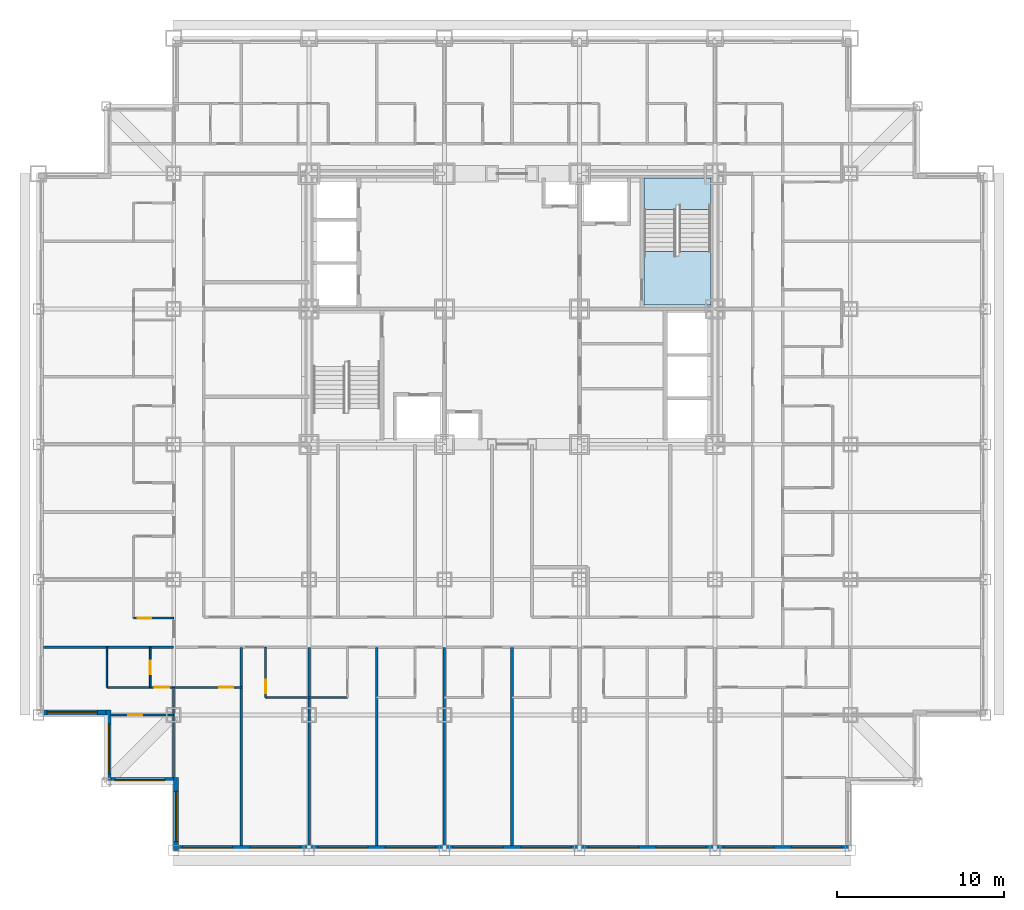
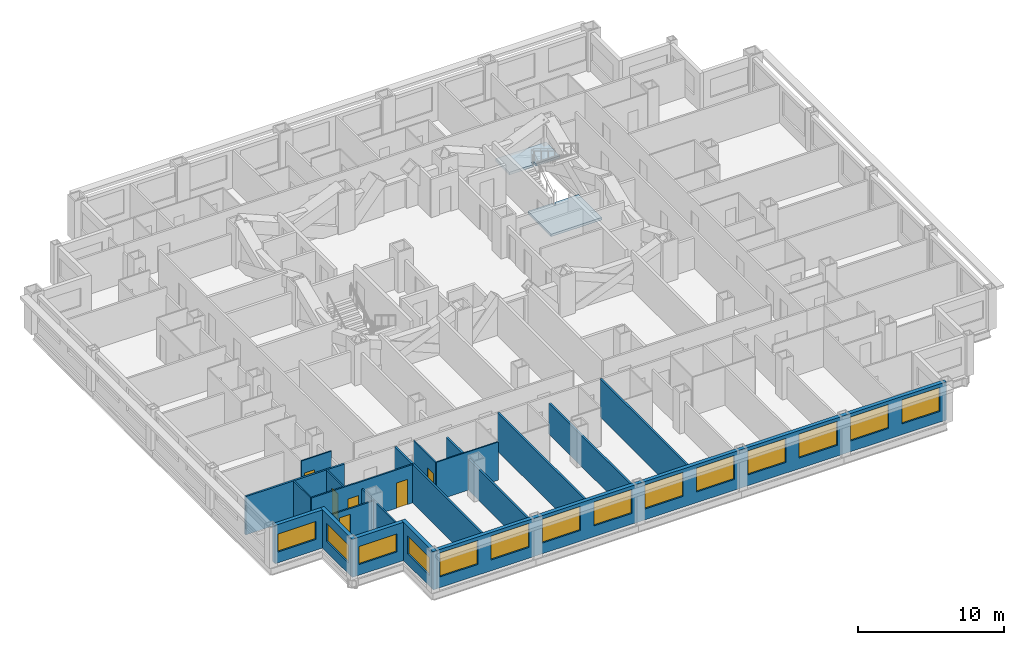
# One storey, part 3 of 12: 19 walls, 14 windows, 6 doors, 2 slabs, 20 openings, 1 element without a shape of its own.
"""IFC4 building model written with IfcOpenShell, lengths in metres."""

from ifc_helpers import new_model, si_unit, direction, frame, frame_2d, origin, place, context, subcontext, project, spatial, polyline, rectangle, outline, extrude, material, layer, layer_set, type_object, element, fill, aggregate, save


model = new_model("IFC4")

# Units and contexts
model_context = context("Model", 3, precision=1e-05, world=origin(), true_north=direction((0.0, 1.0)))
body_context = subcontext(model_context, "Body", "Model", "MODEL_VIEW")
ifc_project = project(units=[si_unit("LENGTHUNIT", "METRE"), si_unit("AREAUNIT", "SQUARE_METRE"), si_unit("VOLUMEUNIT", "CUBIC_METRE"), si_unit("PLANEANGLEUNIT", "RADIAN"), si_unit("MASSUNIT", "GRAM", prefix="KILO")], contexts=[model_context])

# Site, building, storey
site_placement = place(None, origin())
site = spatial("IfcSite", under=ifc_project, at=site_placement, CompositionType="ELEMENT")
building_placement = place(site_placement, origin())
building = spatial("IfcBuilding", under=site, at=building_placement, Name="Kopane Lantern Tower", CompositionType="ELEMENT")
storey_placement = place(building_placement, frame((0.0, 0.0, 70.39990234375)))
storey = spatial("IfcBuildingStorey", under=building, at=storey_placement, Name="L17", CompositionType="ELEMENT", Elevation=70.39990234375)

# Stair, slabs
ifc_material_1 = material(Name="Steel S355JR", Category="steel")
stair_type = type_object("IfcStairType", Name="EXIT STAIR 1900 HALF TURN", PredefinedType="HALF_TURN_STAIR", material=ifc_material_1)
stair_placement = place(storey_placement, origin())
stair = element("IfcStair", 1, at=stair_placement, inside=storey, type_object=stair_type, Name="Exit stair ST2 L17", PredefinedType="HALF_TURN_STAIR")
ifc_material_2 = material(Name="Concrete C40/50", Category="concrete")
ifc_layer_1 = layer(ifc_material_2, 0.199951171875)
ifc_layer_set_1 = layer_set([ifc_layer_1], Name="STAIR LANDING 200")
slab_type = type_object("IfcSlabType", Name="STAIR LANDING 200", PredefinedType="LANDING", material=ifc_layer_set_1)
slab_1_placement = place(storey_placement, frame((0.0, 0.0, -0.199951171875)))
slab_1 = element("IfcSlab", 2, at=slab_1_placement, type_object=slab_type, Name="ST2 landing 1", PredefinedType="LANDING", context=body_context, shape_type="SweptSolid", body=[
    extrude(outline(polyline([(40.25, 35.830078125), (38.35009765625, 35.830078125), (38.35009765625, 35.550048828125), (38.14990234375, 35.550048828125), (38.14990234375, 35.830078125), (36.25, 35.830078125), (36.25, 32.64990234375), (40.25, 32.64990234375), (40.25, 35.830078125)])), origin(), (0.0, 0.0, 1.0), 0.199951171875),
])
slab_2_placement = place(storey_placement, frame((0.0, 0.0, 1.5)))
slab_2 = element("IfcSlab", 3, at=slab_2_placement, type_object=slab_type, Name="ST2 landing 2", PredefinedType="LANDING", context=body_context, shape_type="SweptSolid", body=[
    extrude(outline(polyline([(38.14990234375, 38.6298828125), (38.35009765625, 38.6298828125), (38.35009765625, 38.35009765625), (40.25, 38.35009765625), (40.25, 40.25), (36.25, 40.25), (36.25, 38.35009765625), (38.14990234375, 38.35009765625), (38.14990234375, 38.6298828125)])), origin(), (0.0, 0.0, 1.0), 0.2001953125),
])
aggregate(stair, [slab_1, slab_2])

# Wall, openings, doors
ifc_material_3 = material(Name="Gypsum board on steel studs", Category="steel")
ifc_layer_2 = layer(ifc_material_3, 0.1201171875)
ifc_layer_set_2 = layer_set([ifc_layer_2], Name="APARTMENT INTERNAL WALL 120")
wall_type_1 = type_object("IfcWallType", Name="APARTMENT INTERNAL WALL 120", PredefinedType="PARTITIONING", material=ifc_layer_set_2)
wall_1_placement = place(storey_placement, frame((4.10009765625, 9.75, 0.0), z_axis=(0.0, 0.0, 1.0), x_axis=(1.0, 0.0, 0.0)))
wall_1 = element("IfcWall", 4, at=wall_1_placement, inside=storey, type_object=wall_type_1, Name="Apartment Internal Wall 120 L17", PredefinedType="PARTITIONING", context=body_context, shape_type="SweptSolid", body=[
    extrude(rectangle(XDim=8.0498046875, YDim=0.1201171875, at=frame_2d((4.02490234375, 0.0))), origin(), (0.0, 0.0, 1.0), 3.190185546875),
])
opening_1_placement = place(wall_1_placement, frame((6.72509765625, 0.0, 0.0)))
opening_1 = element("IfcOpeningElement", 5, at=opening_1_placement, cuts=wall_1, Name="Opening L17-068", PredefinedType="OPENING", context=body_context, shape_type="SweptSolid", body=[
    extrude(rectangle(XDim=0.85009765625, YDim=2.10009765625, at=frame_2d((0.425048828125, 1.050048828125))), frame((0.0, 0.070068359375, 0.0), z_axis=(0.0, -1.0, 0.0), x_axis=(1.0, 0.0, 0.0)), (0.0, 0.0, 1.0), 0.14013671875),
])
opening_2_placement = place(wall_1_placement, frame((2.875, 0.0, 0.0)))
opening_2 = element("IfcOpeningElement", 6, at=opening_2_placement, cuts=wall_1, Name="Opening L17-070", PredefinedType="OPENING", context=body_context, shape_type="SweptSolid", body=[
    extrude(rectangle(XDim=0.85009765625, YDim=2.10009765625, at=frame_2d((0.425048828125, 1.050048828125))), frame((0.0, 0.070068359375, 0.0), z_axis=(0.0, -1.0, 0.0), x_axis=(1.0, 0.0, 0.0)), (0.0, 0.0, 1.0), 0.14013671875),
])
ifc_material_4 = material(Name="Timber door set", Category="wood")
door_type_1 = type_object("IfcDoorType", Name="DOOR D4 850x2100", OperationType="SINGLE_SWING_LEFT", PredefinedType="DOOR", material=ifc_material_4)
door_1_placement = place(opening_1_placement, origin())
door_1 = element("IfcDoor", 7, at=door_1_placement, inside=storey, type_object=door_type_1, Name="Door L17-068", OperationType="SINGLE_SWING_RIGHT", OverallHeight=2.10009765625, OverallWidth=0.85009765625, PredefinedType="DOOR", context=body_context, shape_type="SweptSolid", body=[
    extrude(rectangle(XDim=0.85009765625, YDim=2.10009765625, at=frame_2d((0.425048828125, 1.050048828125))), frame((0.0, 0.02490234375, 0.0), z_axis=(0.0, -1.0, 0.0), x_axis=(1.0, 0.0, 0.0)), (0.0, 0.0, 1.0), 0.050048828125),
])
fill(opening_1, door_1)
door_2_placement = place(opening_2_placement, origin())
door_2 = element("IfcDoor", 8, at=door_2_placement, inside=storey, type_object=door_type_1, Name="Door L17-070", OperationType="SINGLE_SWING_LEFT", OverallHeight=2.10009765625, OverallWidth=0.85009765625, PredefinedType="DOOR", context=body_context, shape_type="SweptSolid", body=[
    extrude(rectangle(XDim=0.85009765625, YDim=2.10009765625, at=frame_2d((0.425048828125, 1.050048828125))), frame((0.0, 0.02490234375, 0.0), z_axis=(0.0, -1.0, 0.0), x_axis=(1.0, 0.0, 0.0)), (0.0, 0.0, 1.0), 0.050048828125),
])
fill(opening_2, door_2)

# Wall
wall_2_placement = place(storey_placement, frame((8.10009765625, 9.75, 0.0), z_axis=(0.0, 0.0, 1.0), x_axis=(0.0, -1.0, 0.0)))
element("IfcWall", 9, at=wall_2_placement, inside=storey, type_object=wall_type_1, Name="Apartment Internal Wall 120 L17", PredefinedType="PARTITIONING", context=body_context, shape_type="SweptSolid", body=[
    extrude(rectangle(XDim=5.39990234375, YDim=0.1201171875, at=frame_2d((2.699951171875, 0.0))), origin(), (0.0, 0.0, 1.0), 2.577880859375),
])

# Wall, opening, door
wall_3_placement = place(storey_placement, frame((8.10009765625, 8.10009765625, 0.0), z_axis=(0.0, 0.0, 1.0), x_axis=(-1.0, 0.0, 0.0)))
wall_3 = element("IfcWall", 10, at=wall_3_placement, inside=storey, type_object=wall_type_1, Name="Apartment Internal Wall 120 L17", PredefinedType="PARTITIONING", context=body_context, shape_type="SweptSolid", body=[
    extrude(rectangle(XDim=3.75, YDim=0.1201171875, at=frame_2d((1.875, 0.0))), origin(), (0.0, 0.0, 1.0), 2.577880859375),
])
opening_3_placement = place(wall_3_placement, frame((1.875, 0.0, 0.0)))
opening_3 = element("IfcOpeningElement", 11, at=opening_3_placement, cuts=wall_3, Name="Opening L17-071", PredefinedType="OPENING", context=body_context, shape_type="SweptSolid", body=[
    extrude(rectangle(XDim=0.85009765625, YDim=2.10009765625, at=frame_2d((0.425048828125, 1.050048828125))), frame((0.0, 0.070068359375, 0.0), z_axis=(0.0, -1.0, 0.0), x_axis=(1.0, 0.0, 0.0)), (0.0, 0.0, 1.0), 0.14013671875),
])
door_3_placement = place(opening_3_placement, origin())
door_3 = element("IfcDoor", 12, at=door_3_placement, inside=storey, type_object=door_type_1, Name="Door L17-071", OperationType="SINGLE_SWING_LEFT", OverallHeight=2.10009765625, OverallWidth=0.85009765625, PredefinedType="DOOR", context=body_context, shape_type="SweptSolid", body=[
    extrude(rectangle(XDim=0.85009765625, YDim=2.10009765625, at=frame_2d((0.425048828125, 1.050048828125))), frame((0.0, 0.02490234375, 0.0), z_axis=(0.0, -1.0, 0.0), x_axis=(1.0, 0.0, 0.0)), (0.0, 0.0, 1.0), 0.050048828125),
])
fill(opening_3, door_3)

# Wall
ifc_material_5 = material(Name="Moisture-resistant board on steel studs", Category="steel")
ifc_layer_3 = layer(ifc_material_5, 0.10009765625)
ifc_layer_set_3 = layer_set([ifc_layer_3], Name="BATHROOM WALL 100")
wall_type_2 = type_object("IfcWallType", Name="BATHROOM WALL 100", PredefinedType="PARTITIONING", material=ifc_layer_set_3)
wall_4_placement = place(storey_placement, frame((13.60009765625, 9.14990234375, 0.0), z_axis=(0.0, 0.0, 1.0), x_axis=(1.0, 0.0, 0.0)))
element("IfcWall", 13, at=wall_4_placement, inside=storey, type_object=wall_type_2, Name="Bathroom Wall 100 L17", PredefinedType="PARTITIONING", context=body_context, shape_type="SweptSolid", body=[
    extrude(rectangle(XDim=4.89990234375, YDim=0.10009765625, at=frame_2d((2.449951171875, 0.0))), origin(), (0.0, 0.0, 1.0), 3.190185546875),
])

# Wall, opening, door
wall_5_placement = place(storey_placement, frame((13.60009765625, 12.14990234375, 0.0), z_axis=(0.0, 0.0, 1.0), x_axis=(0.0, -1.0, 0.0)))
wall_5 = element("IfcWall", 14, at=wall_5_placement, inside=storey, type_object=wall_type_2, Name="Bathroom Wall 100 L17", PredefinedType="PARTITIONING", context=body_context, shape_type="SweptSolid", body=[
    extrude(rectangle(XDim=3.0, YDim=0.10009765625, at=frame_2d((1.5, 0.0))), origin(), (0.0, 0.0, 1.0), 3.190185546875),
])
opening_4_placement = place(wall_5_placement, frame((1.949951171875, 0.0, 0.0)))
opening_4 = element("IfcOpeningElement", 15, at=opening_4_placement, cuts=wall_5, Name="Opening L17-015", PredefinedType="OPENING", context=body_context, shape_type="SweptSolid", body=[
    extrude(rectangle(XDim=0.800048828125, YDim=2.10009765625, at=frame_2d((0.39990234375, 1.050048828125))), frame((0.0, 0.06005859375, 0.0), z_axis=(0.0, -1.0, 0.0), x_axis=(1.0, 0.0, 0.0)), (0.0, 0.0, 1.0), 0.1201171875),
])
ifc_material_6 = material(Name="Timber door set", Category="wood")
door_type_2 = type_object("IfcDoorType", Name="DOOR D2 800x2100", OperationType="SINGLE_SWING_LEFT", PredefinedType="DOOR", material=ifc_material_6)
door_4_placement = place(opening_4_placement, origin())
door_4 = element("IfcDoor", 16, at=door_4_placement, inside=storey, type_object=door_type_2, Name="Door L17-015", OperationType="SINGLE_SWING_RIGHT", OverallHeight=2.10009765625, OverallWidth=0.800048828125, PredefinedType="DOOR", context=body_context, shape_type="SweptSolid", body=[
    extrude(rectangle(XDim=0.800048828125, YDim=2.10009765625, at=frame_2d((0.39990234375, 1.050048828125))), frame((0.0, 0.02490234375, 0.0), z_axis=(0.0, -1.0, 0.0), x_axis=(1.0, 0.0, 0.0)), (0.0, 0.0, 1.0), 0.050048828125),
])
fill(opening_4, door_4)

wall_6_placement = place(storey_placement, frame((8.10009765625, 13.89990234375, 0.0), z_axis=(0.0, 0.0, 1.0), x_axis=(-1.0, 0.0, 0.0)))
wall_6 = element("IfcWall", 17, at=wall_6_placement, inside=storey, type_object=wall_type_2, Name="Bathroom Wall 100 L17", PredefinedType="PARTITIONING", context=body_context, shape_type="SweptSolid", body=[
    extrude(rectangle(XDim=2.400146484375, YDim=0.10009765625, at=frame_2d((1.2001953125, 0.0))), origin(), (0.0, 0.0, 1.0), 3.190185546875),
])
opening_5_placement = place(wall_6_placement, frame((1.35009765625, 0.0, 0.0)))
opening_5 = element("IfcOpeningElement", 18, at=opening_5_placement, cuts=wall_6, Name="Opening L17-041", PredefinedType="OPENING", context=body_context, shape_type="SweptSolid", body=[
    extrude(rectangle(XDim=0.800048828125, YDim=2.10009765625, at=frame_2d((0.39990234375, 1.050048828125))), frame((0.0, 0.06005859375, 0.0), z_axis=(0.0, -1.0, 0.0), x_axis=(1.0, 0.0, 0.0)), (0.0, 0.0, 1.0), 0.1201171875),
])
door_5_placement = place(opening_5_placement, origin())
door_5 = element("IfcDoor", 19, at=door_5_placement, inside=storey, type_object=door_type_2, Name="Door L17-041", OperationType="SINGLE_SWING_LEFT", OverallHeight=2.10009765625, OverallWidth=0.800048828125, PredefinedType="DOOR", context=body_context, shape_type="SweptSolid", body=[
    extrude(rectangle(XDim=0.800048828125, YDim=2.10009765625, at=frame_2d((0.39990234375, 1.050048828125))), frame((0.0, 0.02490234375, 0.0), z_axis=(0.0, -1.0, 0.0), x_axis=(1.0, 0.0, 0.0)), (0.0, 0.0, 1.0), 0.050048828125),
])
fill(opening_5, door_5)

wall_7_placement = place(storey_placement, frame((6.699951171875, 12.14990234375, 0.0), z_axis=(0.0, 0.0, 1.0), x_axis=(0.0, -1.0, 0.0)))
wall_7 = element("IfcWall", 20, at=wall_7_placement, inside=storey, type_object=wall_type_2, Name="Bathroom Wall 100 L17", PredefinedType="PARTITIONING", context=body_context, shape_type="SweptSolid", body=[
    extrude(rectangle(XDim=2.39990234375, YDim=0.10009765625, at=frame_2d((1.199951171875, 0.0))), origin(), (0.0, 0.0, 1.0), 3.190185546875),
])
opening_6_placement = place(wall_7_placement, frame((0.800048828125, 0.0, 0.0)))
opening_6 = element("IfcOpeningElement", 21, at=opening_6_placement, cuts=wall_7, Name="Opening L17-069", PredefinedType="OPENING", context=body_context, shape_type="SweptSolid", body=[
    extrude(rectangle(XDim=0.800048828125, YDim=2.10009765625, at=frame_2d((0.39990234375, 1.050048828125))), frame((0.0, 0.06005859375, 0.0), z_axis=(0.0, -1.0, 0.0), x_axis=(1.0, 0.0, 0.0)), (0.0, 0.0, 1.0), 0.1201171875),
])
door_6_placement = place(opening_6_placement, origin())
door_6 = element("IfcDoor", 22, at=door_6_placement, inside=storey, type_object=door_type_2, Name="Door L17-069", OperationType="SINGLE_SWING_RIGHT", OverallHeight=2.10009765625, OverallWidth=0.800048828125, PredefinedType="DOOR", context=body_context, shape_type="SweptSolid", body=[
    extrude(rectangle(XDim=0.800048828125, YDim=2.10009765625, at=frame_2d((0.39990234375, 1.050048828125))), frame((0.0, 0.02490234375, 0.0), z_axis=(0.0, -1.0, 0.0), x_axis=(1.0, 0.0, 0.0)), (0.0, 0.0, 1.0), 0.050048828125),
])
fill(opening_6, door_6)

# Walls
wall_8_placement = place(storey_placement, frame((4.10009765625, 12.14990234375, 0.0), z_axis=(0.0, 0.0, 1.0), x_axis=(0.0, -1.0, 0.0)))
element("IfcWall", 23, at=wall_8_placement, inside=storey, type_object=wall_type_2, Name="Bathroom Wall 100 L17", PredefinedType="PARTITIONING", context=body_context, shape_type="SweptSolid", body=[
    extrude(rectangle(XDim=2.39990234375, YDim=0.10009765625, at=frame_2d((1.199951171875, 0.0))), origin(), (0.0, 0.0, 1.0), 3.190185546875),
])
ifc_material_7 = material(Name="Gypsum board on steel studs", Category="steel")
ifc_layer_4 = layer(ifc_material_7, 0.14990234375)
ifc_layer_set_4 = layer_set([ifc_layer_4], Name="DEMISING WALL 150 EI 60")
wall_type_3 = type_object("IfcWallType", Name="DEMISING WALL 150 EI 60", PredefinedType="PARTITIONING", material=ifc_layer_set_4)
wall_9_placement = place(storey_placement, frame((16.199951171875, 12.14990234375, 0.0), z_axis=(0.0, 0.0, 1.0), x_axis=(0.0, -1.0, 0.0)))
element("IfcWall", 24, at=wall_9_placement, inside=storey, type_object=wall_type_3, Name="Demising Wall 150 Ei 60 L17", PredefinedType="PARTITIONING", context=body_context, shape_type="SweptSolid", body=[
    extrude(rectangle(XDim=11.849853515625, YDim=0.14990234375, at=frame_2d((5.9248046875, 0.0))), origin(), (0.0, 0.0, 1.0), 2.577880859375),
])
wall_10_placement = place(storey_placement, frame((20.25, 12.14990234375, 0.0), z_axis=(0.0, 0.0, 1.0), x_axis=(0.0, -1.0, 0.0)))
element("IfcWall", 25, at=wall_10_placement, inside=storey, type_object=wall_type_3, Name="Demising Wall 150 Ei 60 L17", PredefinedType="PARTITIONING", context=body_context, shape_type="SweptSolid", body=[
    extrude(rectangle(XDim=11.849853515625, YDim=0.14990234375, at=frame_2d((5.9248046875, 0.0))), origin(), (0.0, 0.0, 1.0), 3.190185546875),
])
wall_11_placement = place(storey_placement, frame((24.300048828125, 12.14990234375, 0.0), z_axis=(0.0, 0.0, 1.0), x_axis=(0.0, -1.0, 0.0)))
element("IfcWall", 26, at=wall_11_placement, inside=storey, type_object=wall_type_3, Name="Demising Wall 150 Ei 60 L17", PredefinedType="PARTITIONING", context=body_context, shape_type="SweptSolid", body=[
    extrude(rectangle(XDim=11.849853515625, YDim=0.14990234375, at=frame_2d((5.9248046875, 0.0))), origin(), (0.0, 0.0, 1.0), 2.577880859375),
])
wall_12_placement = place(storey_placement, frame((28.35009765625, 12.14990234375, 0.0), z_axis=(0.0, 0.0, 1.0), x_axis=(0.0, -1.0, 0.0)))
element("IfcWall", 27, at=wall_12_placement, inside=storey, type_object=wall_type_3, Name="Demising Wall 150 Ei 60 L17", PredefinedType="PARTITIONING", context=body_context, shape_type="SweptSolid", body=[
    extrude(rectangle(XDim=11.849853515625, YDim=0.14990234375, at=frame_2d((5.9248046875, 0.0))), origin(), (0.0, 0.0, 1.0), 3.190185546875),
])
wall_13_placement = place(storey_placement, frame((0.300048828125, 12.14990234375, 0.0), z_axis=(0.0, 0.0, 1.0), x_axis=(1.0, 0.0, 0.0)))
element("IfcWall", 28, at=wall_13_placement, inside=storey, type_object=wall_type_3, Name="Demising Wall 150 Ei 60 L17", PredefinedType="PARTITIONING", context=body_context, shape_type="SweptSolid", body=[
    extrude(rectangle(XDim=7.800048828125, YDim=0.14990234375, at=frame_2d((3.89990234375, 0.0))), origin(), (0.0, 0.0, 1.0), 3.190185546875),
])
wall_14_placement = place(storey_placement, frame((12.14990234375, 12.14990234375, 0.0), z_axis=(0.0, 0.0, 1.0), x_axis=(0.0, -1.0, 0.0)))
element("IfcWall", 29, at=wall_14_placement, inside=storey, type_object=wall_type_3, Name="Demising Wall 150 Ei 60 L17", PredefinedType="PARTITIONING", context=body_context, shape_type="SweptSolid", body=[
    extrude(rectangle(XDim=11.849853515625, YDim=0.14990234375, at=frame_2d((5.9248046875, 0.0))), origin(), (0.0, 0.0, 1.0), 3.190185546875),
])

# Wall, openings, windows
ifc_material_8 = material(Name="Terracotta rainscreen on light steel framing", Category="masonry")
ifc_layer_5 = layer(ifc_material_8, 0.300048828125)
ifc_layer_set_5 = layer_set([ifc_layer_5], Name="EXTERNAL WALL EW1 300 TERRACOTTA")
wall_type_4 = type_object("IfcWallType", Name="EXTERNAL WALL EW1 300 TERRACOTTA", PredefinedType="SOLIDWALL", material=ifc_layer_set_5)
wall_15_placement = place(storey_placement, frame((8.39990234375, 0.14990234375, 0.0), z_axis=(0.0, 0.0, 1.0), x_axis=(1.0, 0.0, 0.0)))
wall_15 = element("IfcWall", 30, at=wall_15_placement, inside=storey, type_object=wall_type_4, Name="External wall S L17", PredefinedType="SOLIDWALL", context=body_context, shape_type="SweptSolid", body=[
    extrude(rectangle(XDim=40.2001953125, YDim=0.300048828125, at=frame_2d((20.10009765625, 0.0))), origin(), (0.0, 0.0, 1.0), 3.190185546875),
])
opening_7_placement = place(wall_15_placement, frame((0.22509765625, 0.0, 0.89990234375)))
opening_7 = element("IfcOpeningElement", 31, at=opening_7_placement, cuts=wall_15, Name="Opening WR300200", PredefinedType="OPENING", context=body_context, shape_type="SweptSolid", body=[
    extrude(rectangle(XDim=3.0, YDim=2.0, at=frame_2d((1.5, 1.0))), frame((0.0, 0.159912109375, 0.0), z_axis=(0.0, -1.0, 0.0), x_axis=(1.0, 0.0, 0.0)), (0.0, 0.0, 1.0), 0.320068359375),
])
opening_8_placement = place(wall_15_placement, frame((4.27490234375, 0.0, 0.89990234375)))
opening_8 = element("IfcOpeningElement", 32, at=opening_8_placement, cuts=wall_15, Name="Opening WR300200", PredefinedType="OPENING", context=body_context, shape_type="SweptSolid", body=[
    extrude(rectangle(XDim=3.0, YDim=2.0, at=frame_2d((1.5, 1.0))), frame((0.0, 0.159912109375, 0.0), z_axis=(0.0, -1.0, 0.0), x_axis=(1.0, 0.0, 0.0)), (0.0, 0.0, 1.0), 0.320068359375),
])
opening_9_placement = place(wall_15_placement, frame((8.324951171875, 0.0, 0.89990234375)))
opening_9 = element("IfcOpeningElement", 33, at=opening_9_placement, cuts=wall_15, Name="Opening WR300200", PredefinedType="OPENING", context=body_context, shape_type="SweptSolid", body=[
    extrude(rectangle(XDim=3.0, YDim=2.0, at=frame_2d((1.5, 1.0))), frame((0.0, 0.159912109375, 0.0), z_axis=(0.0, -1.0, 0.0), x_axis=(1.0, 0.0, 0.0)), (0.0, 0.0, 1.0), 0.320068359375),
])
opening_10_placement = place(wall_15_placement, frame((12.375, 0.0, 0.89990234375)))
opening_10 = element("IfcOpeningElement", 34, at=opening_10_placement, cuts=wall_15, Name="Opening WR300200", PredefinedType="OPENING", context=body_context, shape_type="SweptSolid", body=[
    extrude(rectangle(XDim=3.0, YDim=2.0, at=frame_2d((1.5, 1.0))), frame((0.0, 0.159912109375, 0.0), z_axis=(0.0, -1.0, 0.0), x_axis=(1.0, 0.0, 0.0)), (0.0, 0.0, 1.0), 0.320068359375),
])
opening_11_placement = place(wall_15_placement, frame((16.425048828125, 0.0, 0.89990234375)))
opening_11 = element("IfcOpeningElement", 35, at=opening_11_placement, cuts=wall_15, Name="Opening WR300200", PredefinedType="OPENING", context=body_context, shape_type="SweptSolid", body=[
    extrude(rectangle(XDim=3.0, YDim=2.0, at=frame_2d((1.5, 1.0))), frame((0.0, 0.159912109375, 0.0), z_axis=(0.0, -1.0, 0.0), x_axis=(1.0, 0.0, 0.0)), (0.0, 0.0, 1.0), 0.320068359375),
])
opening_12_placement = place(wall_15_placement, frame((20.47509765625, 0.0, 0.89990234375)))
opening_12 = element("IfcOpeningElement", 36, at=opening_12_placement, cuts=wall_15, Name="Opening WR300200", PredefinedType="OPENING", context=body_context, shape_type="SweptSolid", body=[
    extrude(rectangle(XDim=3.0, YDim=2.0, at=frame_2d((1.5, 1.0))), frame((0.0, 0.159912109375, 0.0), z_axis=(0.0, -1.0, 0.0), x_axis=(1.0, 0.0, 0.0)), (0.0, 0.0, 1.0), 0.320068359375),
])
opening_13_placement = place(wall_15_placement, frame((24.52490234375, 0.0, 0.89990234375)))
opening_13 = element("IfcOpeningElement", 37, at=opening_13_placement, cuts=wall_15, Name="Opening WR300200", PredefinedType="OPENING", context=body_context, shape_type="SweptSolid", body=[
    extrude(rectangle(XDim=3.0, YDim=2.0, at=frame_2d((1.5, 1.0))), frame((0.0, 0.159912109375, 0.0), z_axis=(0.0, -1.0, 0.0), x_axis=(1.0, 0.0, 0.0)), (0.0, 0.0, 1.0), 0.320068359375),
])
opening_14_placement = place(wall_15_placement, frame((28.574951171875, 0.0, 0.89990234375)))
opening_14 = element("IfcOpeningElement", 38, at=opening_14_placement, cuts=wall_15, Name="Opening WR300200", PredefinedType="OPENING", context=body_context, shape_type="SweptSolid", body=[
    extrude(rectangle(XDim=3.0, YDim=2.0, at=frame_2d((1.5, 1.0))), frame((0.0, 0.159912109375, 0.0), z_axis=(0.0, -1.0, 0.0), x_axis=(1.0, 0.0, 0.0)), (0.0, 0.0, 1.0), 0.320068359375),
])
opening_15_placement = place(wall_15_placement, frame((32.625, 0.0, 0.89990234375)))
opening_15 = element("IfcOpeningElement", 39, at=opening_15_placement, cuts=wall_15, Name="Opening WR300200", PredefinedType="OPENING", context=body_context, shape_type="SweptSolid", body=[
    extrude(rectangle(XDim=3.0, YDim=2.0, at=frame_2d((1.5, 1.0))), frame((0.0, 0.159912109375, 0.0), z_axis=(0.0, -1.0, 0.0), x_axis=(1.0, 0.0, 0.0)), (0.0, 0.0, 1.0), 0.320068359375),
])
opening_16_placement = place(wall_15_placement, frame((36.675048828125, 0.0, 0.89990234375)))
opening_16 = element("IfcOpeningElement", 40, at=opening_16_placement, cuts=wall_15, Name="Opening WR300200", PredefinedType="OPENING", context=body_context, shape_type="SweptSolid", body=[
    extrude(rectangle(XDim=3.0, YDim=2.0, at=frame_2d((1.5, 1.0))), frame((0.0, 0.159912109375, 0.0), z_axis=(0.0, -1.0, 0.0), x_axis=(1.0, 0.0, 0.0)), (0.0, 0.0, 1.0), 0.320068359375),
])
ifc_material_9 = material(Name="Aluminium and clear glass", Category="aluminium")
window_type_1 = type_object("IfcWindowType", Name="RIBBON WINDOW WR300200 3000x2000", PartitioningType="SINGLE_PANEL", PredefinedType="WINDOW", material=ifc_material_9)
window_1_placement = place(opening_7_placement, origin())
window_1 = element("IfcWindow", 41, at=window_1_placement, inside=storey, type_object=window_type_1, Name="Window S L17", OverallHeight=2.0, OverallWidth=3.0, PartitioningType="SINGLE_PANEL", PredefinedType="WINDOW", context=body_context, shape_type="SweptSolid", body=[
    extrude(rectangle(XDim=3.0, YDim=2.0, at=frame_2d((1.5, 1.0))), frame((0.0, 0.030029296875, 0.0), z_axis=(0.0, -1.0, 0.0), x_axis=(1.0, 0.0, 0.0)), (0.0, 0.0, 1.0), 0.06005859375),
])
fill(opening_7, window_1)
window_2_placement = place(opening_8_placement, origin())
window_2 = element("IfcWindow", 42, at=window_2_placement, inside=storey, type_object=window_type_1, Name="Window S L17", OverallHeight=2.0, OverallWidth=3.0, PartitioningType="SINGLE_PANEL", PredefinedType="WINDOW", context=body_context, shape_type="SweptSolid", body=[
    extrude(rectangle(XDim=3.0, YDim=2.0, at=frame_2d((1.5, 1.0))), frame((0.0, 0.030029296875, 0.0), z_axis=(0.0, -1.0, 0.0), x_axis=(1.0, 0.0, 0.0)), (0.0, 0.0, 1.0), 0.06005859375),
])
fill(opening_8, window_2)
window_3_placement = place(opening_9_placement, origin())
window_3 = element("IfcWindow", 43, at=window_3_placement, inside=storey, type_object=window_type_1, Name="Window S L17", OverallHeight=2.0, OverallWidth=3.0, PartitioningType="SINGLE_PANEL", PredefinedType="WINDOW", context=body_context, shape_type="SweptSolid", body=[
    extrude(rectangle(XDim=3.0, YDim=2.0, at=frame_2d((1.5, 1.0))), frame((0.0, 0.030029296875, 0.0), z_axis=(0.0, -1.0, 0.0), x_axis=(1.0, 0.0, 0.0)), (0.0, 0.0, 1.0), 0.06005859375),
])
fill(opening_9, window_3)
window_4_placement = place(opening_10_placement, origin())
window_4 = element("IfcWindow", 44, at=window_4_placement, inside=storey, type_object=window_type_1, Name="Window S L17", OverallHeight=2.0, OverallWidth=3.0, PartitioningType="SINGLE_PANEL", PredefinedType="WINDOW", context=body_context, shape_type="SweptSolid", body=[
    extrude(rectangle(XDim=3.0, YDim=2.0, at=frame_2d((1.5, 1.0))), frame((0.0, 0.030029296875, 0.0), z_axis=(0.0, -1.0, 0.0), x_axis=(1.0, 0.0, 0.0)), (0.0, 0.0, 1.0), 0.06005859375),
])
fill(opening_10, window_4)
window_5_placement = place(opening_11_placement, origin())
window_5 = element("IfcWindow", 45, at=window_5_placement, inside=storey, type_object=window_type_1, Name="Window S L17", OverallHeight=2.0, OverallWidth=3.0, PartitioningType="SINGLE_PANEL", PredefinedType="WINDOW", context=body_context, shape_type="SweptSolid", body=[
    extrude(rectangle(XDim=3.0, YDim=2.0, at=frame_2d((1.5, 1.0))), frame((0.0, 0.030029296875, 0.0), z_axis=(0.0, -1.0, 0.0), x_axis=(1.0, 0.0, 0.0)), (0.0, 0.0, 1.0), 0.06005859375),
])
fill(opening_11, window_5)
window_6_placement = place(opening_12_placement, origin())
window_6 = element("IfcWindow", 46, at=window_6_placement, inside=storey, type_object=window_type_1, Name="Window S L17", OverallHeight=2.0, OverallWidth=3.0, PartitioningType="SINGLE_PANEL", PredefinedType="WINDOW", context=body_context, shape_type="SweptSolid", body=[
    extrude(rectangle(XDim=3.0, YDim=2.0, at=frame_2d((1.5, 1.0))), frame((0.0, 0.030029296875, 0.0), z_axis=(0.0, -1.0, 0.0), x_axis=(1.0, 0.0, 0.0)), (0.0, 0.0, 1.0), 0.06005859375),
])
fill(opening_12, window_6)
window_7_placement = place(opening_13_placement, origin())
window_7 = element("IfcWindow", 47, at=window_7_placement, inside=storey, type_object=window_type_1, Name="Window S L17", OverallHeight=2.0, OverallWidth=3.0, PartitioningType="SINGLE_PANEL", PredefinedType="WINDOW", context=body_context, shape_type="SweptSolid", body=[
    extrude(rectangle(XDim=3.0, YDim=2.0, at=frame_2d((1.5, 1.0))), frame((0.0, 0.030029296875, 0.0), z_axis=(0.0, -1.0, 0.0), x_axis=(1.0, 0.0, 0.0)), (0.0, 0.0, 1.0), 0.06005859375),
])
fill(opening_13, window_7)
window_8_placement = place(opening_14_placement, origin())
window_8 = element("IfcWindow", 48, at=window_8_placement, inside=storey, type_object=window_type_1, Name="Window S L17", OverallHeight=2.0, OverallWidth=3.0, PartitioningType="SINGLE_PANEL", PredefinedType="WINDOW", context=body_context, shape_type="SweptSolid", body=[
    extrude(rectangle(XDim=3.0, YDim=2.0, at=frame_2d((1.5, 1.0))), frame((0.0, 0.030029296875, 0.0), z_axis=(0.0, -1.0, 0.0), x_axis=(1.0, 0.0, 0.0)), (0.0, 0.0, 1.0), 0.06005859375),
])
fill(opening_14, window_8)
window_9_placement = place(opening_15_placement, origin())
window_9 = element("IfcWindow", 49, at=window_9_placement, inside=storey, type_object=window_type_1, Name="Window S L17", OverallHeight=2.0, OverallWidth=3.0, PartitioningType="SINGLE_PANEL", PredefinedType="WINDOW", context=body_context, shape_type="SweptSolid", body=[
    extrude(rectangle(XDim=3.0, YDim=2.0, at=frame_2d((1.5, 1.0))), frame((0.0, 0.030029296875, 0.0), z_axis=(0.0, -1.0, 0.0), x_axis=(1.0, 0.0, 0.0)), (0.0, 0.0, 1.0), 0.06005859375),
])
fill(opening_15, window_9)
window_10_placement = place(opening_16_placement, origin())
window_10 = element("IfcWindow", 50, at=window_10_placement, inside=storey, type_object=window_type_1, Name="Window S L17", OverallHeight=2.0, OverallWidth=3.0, PartitioningType="SINGLE_PANEL", PredefinedType="WINDOW", context=body_context, shape_type="SweptSolid", body=[
    extrude(rectangle(XDim=3.0, YDim=2.0, at=frame_2d((1.5, 1.0))), frame((0.0, 0.030029296875, 0.0), z_axis=(0.0, -1.0, 0.0), x_axis=(1.0, 0.0, 0.0)), (0.0, 0.0, 1.0), 0.06005859375),
])
fill(opening_16, window_10)

# Wall, opening, window
wall_16_placement = place(storey_placement, frame((0.300048828125, 8.25, 0.0), z_axis=(0.0, 0.0, 1.0), x_axis=(1.0, 0.0, 0.0)))
wall_16 = element("IfcWall", 51, at=wall_16_placement, inside=storey, type_object=wall_type_4, Name="External wall S L17", PredefinedType="SOLIDWALL", context=body_context, shape_type="SweptSolid", body=[
    extrude(rectangle(XDim=3.75, YDim=0.300048828125, at=frame_2d((1.875, 0.0))), origin(), (0.0, 0.0, 1.0), 3.190185546875),
])
opening_17_placement = place(wall_16_placement, frame((0.22509765625, 0.0, 0.89990234375)))
opening_17 = element("IfcOpeningElement", 52, at=opening_17_placement, cuts=wall_16, Name="Opening WR300150", PredefinedType="OPENING", context=body_context, shape_type="SweptSolid", body=[
    extrude(rectangle(XDim=3.0, YDim=1.5, at=frame_2d((1.5, 0.75))), frame((0.0, 0.159912109375, 0.0), z_axis=(0.0, -1.0, 0.0), x_axis=(1.0, 0.0, 0.0)), (0.0, 0.0, 1.0), 0.320068359375),
])
ifc_material_10 = material(Name="Aluminium and clear glass", Category="aluminium")
window_type_2 = type_object("IfcWindowType", Name="RIBBON WINDOW WR300150 3000x1500", PartitioningType="SINGLE_PANEL", PredefinedType="WINDOW", material=ifc_material_10)
window_11_placement = place(opening_17_placement, origin())
window_11 = element("IfcWindow", 53, at=window_11_placement, inside=storey, type_object=window_type_2, Name="Window S L17", OverallHeight=1.5, OverallWidth=3.0, PartitioningType="SINGLE_PANEL", PredefinedType="WINDOW", context=body_context, shape_type="SweptSolid", body=[
    extrude(rectangle(XDim=3.0, YDim=1.5, at=frame_2d((1.5, 0.75))), frame((0.0, 0.030029296875, 0.0), z_axis=(0.0, -1.0, 0.0), x_axis=(1.0, 0.0, 0.0)), (0.0, 0.0, 1.0), 0.06005859375),
])
fill(opening_17, window_11)

wall_17_placement = place(storey_placement, frame((4.199951171875, 8.39990234375, 0.0), z_axis=(0.0, 0.0, 1.0), x_axis=(0.0, -1.0, 0.0)))
wall_17 = element("IfcWall", 54, at=wall_17_placement, inside=storey, type_object=wall_type_4, Name="External wall W L17", PredefinedType="SOLIDWALL", context=body_context, shape_type="SweptSolid", body=[
    extrude(rectangle(XDim=4.349853515625, YDim=0.300048828125, at=frame_2d((2.1748046875, 0.0))), origin(), (0.0, 0.0, 1.0), 3.190185546875),
])
opening_18_placement = place(wall_17_placement, frame((0.824951171875, 0.0, 0.89990234375)))
opening_18 = element("IfcOpeningElement", 55, at=opening_18_placement, cuts=wall_17, Name="Opening WR300150", PredefinedType="OPENING", context=body_context, shape_type="SweptSolid", body=[
    extrude(rectangle(XDim=3.0, YDim=1.5, at=frame_2d((1.5, 0.75))), frame((0.0, 0.159912109375, 0.0), z_axis=(0.0, -1.0, 0.0), x_axis=(1.0, 0.0, 0.0)), (0.0, 0.0, 1.0), 0.320068359375),
])
window_12_placement = place(opening_18_placement, origin())
window_12 = element("IfcWindow", 56, at=window_12_placement, inside=storey, type_object=window_type_2, Name="Window W L17", OverallHeight=1.5, OverallWidth=3.0, PartitioningType="SINGLE_PANEL", PredefinedType="WINDOW", context=body_context, shape_type="SweptSolid", body=[
    extrude(rectangle(XDim=3.0, YDim=1.5, at=frame_2d((1.5, 0.75))), frame((0.0, 0.030029296875, 0.0), z_axis=(0.0, -1.0, 0.0), x_axis=(1.0, 0.0, 0.0)), (0.0, 0.0, 1.0), 0.06005859375),
])
fill(opening_18, window_12)

wall_18_placement = place(storey_placement, frame((4.35009765625, 4.199951171875, 0.0), z_axis=(0.0, 0.0, 1.0), x_axis=(1.0, 0.0, 0.0)))
wall_18 = element("IfcWall", 57, at=wall_18_placement, inside=storey, type_object=wall_type_4, Name="External wall S L17", PredefinedType="SOLIDWALL", context=body_context, shape_type="SweptSolid", body=[
    extrude(rectangle(XDim=3.75, YDim=0.300048828125, at=frame_2d((1.875, 0.0))), origin(), (0.0, 0.0, 1.0), 3.190185546875),
])
opening_19_placement = place(wall_18_placement, frame((0.22509765625, 0.0, 0.89990234375)))
opening_19 = element("IfcOpeningElement", 58, at=opening_19_placement, cuts=wall_18, Name="Opening WR300150", PredefinedType="OPENING", context=body_context, shape_type="SweptSolid", body=[
    extrude(rectangle(XDim=3.0, YDim=1.5, at=frame_2d((1.5, 0.75))), frame((0.0, 0.159912109375, 0.0), z_axis=(0.0, -1.0, 0.0), x_axis=(1.0, 0.0, 0.0)), (0.0, 0.0, 1.0), 0.320068359375),
])
window_13_placement = place(opening_19_placement, origin())
window_13 = element("IfcWindow", 59, at=window_13_placement, inside=storey, type_object=window_type_2, Name="Window S L17", OverallHeight=1.5, OverallWidth=3.0, PartitioningType="SINGLE_PANEL", PredefinedType="WINDOW", context=body_context, shape_type="SweptSolid", body=[
    extrude(rectangle(XDim=3.0, YDim=1.5, at=frame_2d((1.5, 0.75))), frame((0.0, 0.030029296875, 0.0), z_axis=(0.0, -1.0, 0.0), x_axis=(1.0, 0.0, 0.0)), (0.0, 0.0, 1.0), 0.06005859375),
])
fill(opening_19, window_13)

wall_19_placement = place(storey_placement, frame((8.25, 4.35009765625, 0.0), z_axis=(0.0, 0.0, 1.0), x_axis=(0.0, -1.0, 0.0)))
wall_19 = element("IfcWall", 60, at=wall_19_placement, inside=storey, type_object=wall_type_4, Name="External wall W L17", PredefinedType="SOLIDWALL", context=body_context, shape_type="SweptSolid", body=[
    extrude(rectangle(XDim=4.35009765625, YDim=0.300048828125, at=frame_2d((2.175048828125, 0.0))), origin(), (0.0, 0.0, 1.0), 3.190185546875),
])
opening_20_placement = place(wall_19_placement, frame((0.824951171875, 0.0, 0.89990234375)))
opening_20 = element("IfcOpeningElement", 61, at=opening_20_placement, cuts=wall_19, Name="Opening WR300150", PredefinedType="OPENING", context=body_context, shape_type="SweptSolid", body=[
    extrude(rectangle(XDim=3.0, YDim=1.5, at=frame_2d((1.5, 0.75))), frame((0.0, 0.159912109375, 0.0), z_axis=(0.0, -1.0, 0.0), x_axis=(1.0, 0.0, 0.0)), (0.0, 0.0, 1.0), 0.320068359375),
])
window_14_placement = place(opening_20_placement, origin())
window_14 = element("IfcWindow", 62, at=window_14_placement, inside=storey, type_object=window_type_2, Name="Window W L17", OverallHeight=1.5, OverallWidth=3.0, PartitioningType="SINGLE_PANEL", PredefinedType="WINDOW", context=body_context, shape_type="SweptSolid", body=[
    extrude(rectangle(XDim=3.0, YDim=1.5, at=frame_2d((1.5, 0.75))), frame((0.0, 0.030029296875, 0.0), z_axis=(0.0, -1.0, 0.0), x_axis=(1.0, 0.0, 0.0)), (0.0, 0.0, 1.0), 0.06005859375),
])
fill(opening_20, window_14)

save(model, "model.ifc")
